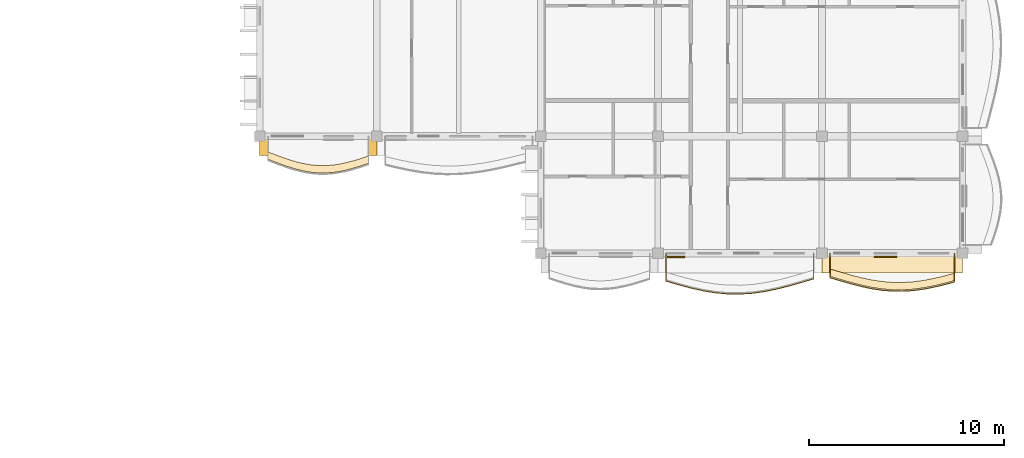
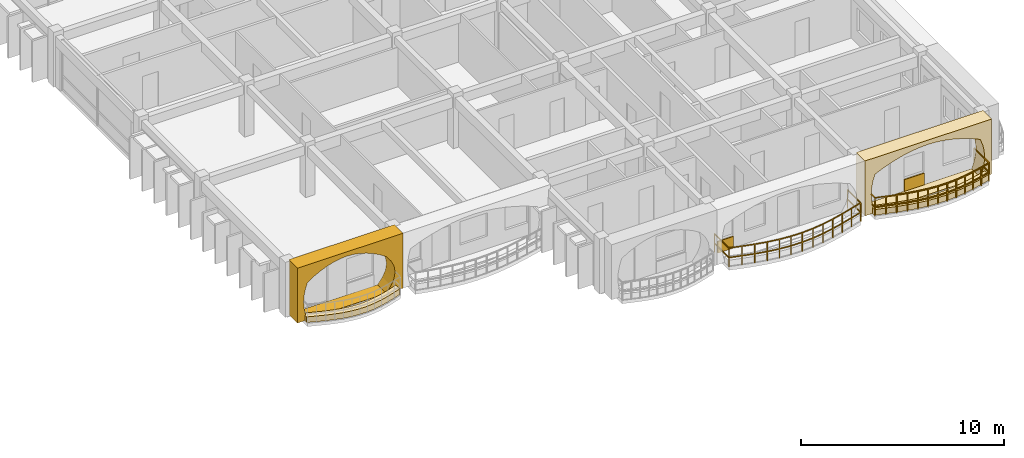
# One storey, part 69 of 79: 6 coverings, 2 railings.
"""IFC4 building model written with IfcOpenShell, lengths in metres."""

import ifcopenshell
import ifcopenshell.guid

model = None  # the IFC model being written
_history = None  # IfcOwnerHistory: only IFC2X3 demands one
_inside = {}  # id of a spatial element -> (the spatial element, [elements in it])
_under = {}  # id of a project, library or spatial element -> (it, [spatial elements below it])
_declared = {}  # id of a project -> (the project, [libraries it declares])
_typed = {}  # id of a type object -> (the type object, [elements of that type])
_made_of = {}  # id of a material, layer set ... -> (it, [elements and type objects made of it])


def new_model(schema):
    """Start an empty IFC model of exactly this schema.

    Asked for "IFC4X3", IfcOpenShell would pick the latest addendum, in which some entities
    have other attributes; the version numbers below select the first issue.
    IFC2X3 requires an IfcOwnerHistory on every rooted entity: one is made here for all.
    """
    global model, _history
    if schema == "IFC4X3":
        model = ifcopenshell.file(schema_version=(4, 3, 0, 0))
    else:
        model = ifcopenshell.file(schema=schema)
    _inside.clear()
    _under.clear()
    _declared.clear()
    _typed.clear()
    _made_of.clear()
    _history = None
    if model.schema == "IFC2X3":
        org = make("IfcOrganization", Name="unknown")
        user = make(
            "IfcPersonAndOrganization",
            ThePerson=make("IfcPerson", FamilyName="unknown"),
            TheOrganization=org,
        )
        app = make(
            "IfcApplication",
            ApplicationDeveloper=org,
            Version="unknown",
            ApplicationFullName="unknown",
            ApplicationIdentifier="unknown",
        )
        _history = make(
            "IfcOwnerHistory",
            OwningUser=user,
            OwningApplication=app,
            ChangeAction="ADDED",
            CreationDate=0,
        )
    return model


def make(cls, **values):
    """One entity of the class cls with the attributes given. An attribute that is None is left unset."""
    return model.create_entity(
        cls, **{name: value for name, value in values.items() if value is not None}
    )


def rooted(cls, **values):
    """An entity with a GlobalId (a new one), such as an element, a storey or a relation."""
    return make(cls, GlobalId=ifcopenshell.guid.new(), OwnerHistory=_history, **values)


def si_unit(unit_type, name, prefix=None):
    """IfcSIUnit, for example si_unit("LENGTHUNIT", "METRE", prefix="MILLI")."""
    return make("IfcSIUnit", UnitType=unit_type, Prefix=prefix, Name=name)


def assignment(units):
    """IfcUnitAssignment: the units of a project."""
    return None if units is None else make("IfcUnitAssignment", Units=units)


def point(xyz):
    """IfcCartesianPoint."""
    return None if xyz is None else make("IfcCartesianPoint", Coordinates=xyz)


def direction(xyz):
    """IfcDirection."""
    return None if xyz is None else make("IfcDirection", DirectionRatios=xyz)


def frame(location, z_axis=None, x_axis=None):
    """IfcAxis2Placement3D, a coordinate frame: its origin and axes. An axis left out is left unset."""
    return make(
        "IfcAxis2Placement3D",
        Location=point(location),
        Axis=direction(z_axis),
        RefDirection=direction(x_axis),
    )


def frame_2d(location, x_axis=None):
    """IfcAxis2Placement2D, a coordinate frame in the plane: its origin and x axis."""
    return make(
        "IfcAxis2Placement2D", Location=point(location), RefDirection=direction(x_axis)
    )


def origin():
    """The frame at (0, 0, 0) with its axes left unset."""
    return frame((0.0, 0.0, 0.0))


def origin_2d():
    """The frame at (0, 0) in the plane with its x axis left unset."""
    return frame_2d((0.0, 0.0))


def place(relative_to, where):
    """IfcLocalPlacement: puts the frame where relative to a parent placement (None: the world)."""
    return make(
        "IfcLocalPlacement", PlacementRelTo=relative_to, RelativePlacement=where
    )


def context(
    kind, dimensions, precision=None, world=None, true_north=None, identifier=None
):
    """IfcGeometricRepresentationContext, for example the 3D "Model" context."""
    return make(
        "IfcGeometricRepresentationContext",
        ContextIdentifier=identifier,
        ContextType=kind,
        CoordinateSpaceDimension=dimensions,
        Precision=precision,
        WorldCoordinateSystem=world,
        TrueNorth=true_north,
    )


def subcontext(parent, identifier, kind, view, scale=None):
    """IfcGeometricRepresentationSubContext, for example "Body" below "Model"."""
    return make(
        "IfcGeometricRepresentationSubContext",
        ContextIdentifier=identifier,
        ContextType=kind,
        ParentContext=parent,
        TargetScale=scale,
        TargetView=view,
    )


def project(units=None, contexts=None):
    """IfcProject with its units and contexts."""
    return rooted(
        "IfcProject",
        Name="project",
        RepresentationContexts=contexts,
        UnitsInContext=assignment(units),
    )


def spatial(cls, under=None, at=None, **own):
    """A site, building, storey or space (cls), placed at a placement, below another one or the project."""
    s = rooted(cls, ObjectPlacement=at, **own)
    if under is not None:
        _under.setdefault(under.id(), (under, []))[1].append(s)
    return s


def polyline(points):
    """IfcPolyline through the points."""
    return make("IfcPolyline", Points=[point(p) for p in points])


def profile(cls, at=None, kind="AREA", **sizes):
    """A parametric profile (cls). Its sizes go by their IFC names, for example OverallWidth=200.0."""
    return make(cls, ProfileType=kind, Position=at, **sizes)


def rectangle(**sizes):
    """IfcRectangleProfileDef."""
    return profile("IfcRectangleProfileDef", **sizes)


def outline(outer, holes=None, kind="AREA"):
    """IfcArbitraryClosedProfileDef: a profile drawn as a closed curve; with holes, ...WithVoids."""
    if holes is None:
        return make("IfcArbitraryClosedProfileDef", ProfileType=kind, OuterCurve=outer)
    return make(
        "IfcArbitraryProfileDefWithVoids",
        ProfileType=kind,
        OuterCurve=outer,
        InnerCurves=holes,
    )


def extrude(swept, where, along, depth):
    """IfcExtrudedAreaSolid: the profile swept, set in the frame where, extruded along a direction by depth."""
    return make(
        "IfcExtrudedAreaSolid",
        SweptArea=swept,
        Position=where,
        ExtrudedDirection=direction(along),
        Depth=depth,
    )


def shape(context_of_items, identifier, shape_type, items):
    """IfcShapeRepresentation: the items that make up one representation, for example the "Body"."""
    return make(
        "IfcShapeRepresentation",
        ContextOfItems=context_of_items,
        RepresentationIdentifier=identifier,
        RepresentationType=shape_type,
        Items=items,
    )


def material(Name=None, Category=None):
    """IfcMaterial."""
    return make("IfcMaterial", Name=Name, Category=Category)


def layer(
    of_material, thickness, ventilated=None, Name=None, Category=None, Priority=None
):
    """IfcMaterialLayer: one layer of a wall or slab, of a material (None: an air gap)."""
    return make(
        "IfcMaterialLayer",
        Material=of_material,
        LayerThickness=thickness,
        IsVentilated=ventilated,
        Name=Name,
        Category=Category,
        Priority=Priority,
    )


def layer_set(layers, Name=None):
    """IfcMaterialLayerSet."""
    return make("IfcMaterialLayerSet", MaterialLayers=layers, LayerSetName=Name)


def made_of(thing, what):
    """Note that an element or type object is made of a material, layer set ...; save() writes the relation."""
    if what is not None:
        _made_of.setdefault(what.id(), (what, []))[1].append(thing)
    return thing


def type_object(cls, material=None, **own):
    """A type object (cls), such as IfcWallType, which elements share."""
    return made_of(rooted(cls, **own), material)


def element(
    cls,
    number,
    at=None,
    inside=None,
    cuts=None,
    type_object=None,
    material=None,
    context=None,
    identifier="Body",
    shape_type=None,
    held_by="IfcProductDefinitionShape",
    body=None,
    shapes=None,
    **own,
):
    """One element of the class cls, such as IfcWall. Its Tag is "e" and its number.

    at: its placement. inside: the storey or other place that contains it. cuts: it is an
    opening in that element (IfcRelVoidsElement). A single representation is given by context,
    identifier, shape_type and body (its items); several are given by shapes. held_by: the class
    of the entity that holds the representations. save() writes the other relations.
    """
    e = rooted(cls, Tag="e%d" % number, ObjectPlacement=at, **own)
    if body is not None:
        shapes = [shape(context, identifier, shape_type, body)]
    if shapes is not None:
        e.Representation = make(held_by, Representations=shapes)
    if inside is not None:
        _inside.setdefault(inside.id(), (inside, []))[1].append(e)
    if cuts is not None:
        rooted(
            "IfcRelVoidsElement", RelatingBuildingElement=cuts, RelatedOpeningElement=e
        )
    if type_object is not None:
        _typed.setdefault(type_object.id(), (type_object, []))[1].append(e)
    return made_of(e, material)


def aggregate(whole, parts):
    """IfcRelAggregates: a whole, such as a stair, and the parts it consists of."""
    return rooted("IfcRelAggregates", RelatingObject=whole, RelatedObjects=parts)


def save(model, path):
    """Write the relations noted so far, then the file.

    IfcRelAggregates (storeys below a building ...), IfcRelContainedInSpatialStructure (elements
    in a storey), IfcRelDefinesByType, IfcRelAssociatesMaterial and IfcRelDeclares: one each for
    every whole, place, type object, material and project.
    """
    for whole, parts in _under.values():
        aggregate(whole, parts)
    for where, things in _inside.values():
        rooted(
            "IfcRelContainedInSpatialStructure",
            RelatedElements=things,
            RelatingStructure=where,
        )
    for kind, things in _typed.values():
        rooted("IfcRelDefinesByType", RelatedObjects=things, RelatingType=kind)
    for what, things in _made_of.values():
        rooted("IfcRelAssociatesMaterial", RelatedObjects=things, RelatingMaterial=what)
    for by, libraries in _declared.values():
        rooted("IfcRelDeclares", RelatingContext=by, RelatedDefinitions=libraries)
    model.write(path)


model = new_model("IFC4")

# Units and contexts
model_context = context("Model", 3, precision=1e-05, world=origin(), true_north=direction((0.0, 1.0)))
body_context = subcontext(model_context, "Body", "Model", "MODEL_VIEW")
ifc_project = project(units=[si_unit("LENGTHUNIT", "METRE"), si_unit("AREAUNIT", "SQUARE_METRE"), si_unit("VOLUMEUNIT", "CUBIC_METRE"), si_unit("PLANEANGLEUNIT", "RADIAN"), si_unit("MASSUNIT", "GRAM", prefix="KILO"), si_unit("THERMODYNAMICTEMPERATUREUNIT", "KELVIN")], contexts=[model_context])

# Site, building, storey
site_placement = place(None, origin())
site = spatial("IfcSite", under=ifc_project, at=site_placement, CompositionType="ELEMENT")
building_placement = place(site_placement, origin())
building = spatial("IfcBuilding", under=site, at=building_placement, Name="Thalorik Housing Commons", CompositionType="ELEMENT")
storey_placement = place(building_placement, frame((0.0, 0.0, 11.39990234375)))
storey = spatial("IfcBuildingStorey", under=building, at=storey_placement, Name="L03", CompositionType="ELEMENT", Elevation=11.39990234375)

# Coverings
ifc_material_1 = material(Name="Precast concrete C40/50", Category="concrete")
ifc_layer_1 = layer(ifc_material_1, 0.85009765625, Name="Precast concrete C40/50", Category="concrete")
ifc_layer_set_1 = layer_set([ifc_layer_1], Name="Precast concrete C40/50")
covering_type_1 = type_object("IfcCoveringType", Name="ARC-CLD-CUSH-850", PredefinedType="CLADDING", material=ifc_layer_set_1)
covering_1_placement = place(storey_placement, frame((141.0, 42.6298828125, 0.0), z_axis=(0.0, 0.0, 1.0), x_axis=(1.0, 0.0, 0.0)))
element("IfcCovering", 1, at=covering_1_placement, inside=storey, type_object=covering_type_1, Name="L03 White Precast Curved Cushion Bay Frame 4723", PredefinedType="CLADDING", context=body_context, shape_type="SweptSolid", body=[
    extrude(outline(polyline([(-3.0, 0.0), (3.0, 0.0), (3.0, 3.300048828125), (-3.0, 3.300048828125), (-3.0, 0.0)]), holes=[polyline([(2.0400390625, 0.02490234375), (2.3232421875, 0.394287109375), (2.493408203125, 0.76318359375), (2.550048828125, 1.132568359375), (2.493408203125, 1.501708984375), (2.3232421875, 1.870849609375), (2.0400390625, 2.239990234375), (1.66748046875, 2.4833984375), (1.294921875, 2.6748046875), (0.922607421875, 2.82958984375), (0.550048828125, 2.94482421875), (0.177490234375, 3.01611328125), (-0.195068359375, 3.0400390625), (-0.5673828125, 3.01611328125), (-0.93994140625, 2.94482421875), (-1.3125, 2.82958984375), (-1.68505859375, 2.6748046875), (-2.0576171875, 2.4833984375), (-2.429931640625, 2.239990234375), (-2.55029296875, 1.870849609375), (-2.62255859375, 1.501708984375), (-2.646484375, 1.132568359375), (-2.62255859375, 0.76318359375), (-2.55029296875, 0.394287109375), (-2.429931640625, 0.02490234375), (2.0400390625, 0.02490234375)])]), frame((0.0, 0.425048828125, 0.0), z_axis=(0.0, -1.0, 0.0), x_axis=(1.0, 0.0, 0.0)), (0.0, 0.0, 1.0), 0.85009765625),
])
covering_2_placement = place(storey_placement, frame((170.39990234375, 36.6298828125, 0.0), z_axis=(0.0, 0.0, 1.0), x_axis=(1.0, 0.0, 0.0)))
element("IfcCovering", 2, at=covering_2_placement, inside=storey, type_object=covering_type_1, Name="L03 White Precast Curved Cushion Bay Frame 4738", PredefinedType="CLADDING", context=body_context, shape_type="SweptSolid", body=[
    extrude(outline(polyline([(-3.60009765625, 0.0), (3.60009765625, 0.0), (3.60009765625, 3.300048828125), (-3.60009765625, 3.300048828125), (-3.60009765625, 0.0)]), holes=[polyline([(2.955078125, 0.02490234375), (3.09130859375, 0.404296875), (3.1728515625, 0.783203125), (3.2001953125, 1.16259765625), (3.1728515625, 1.541748046875), (3.09130859375, 1.9208984375), (2.955078125, 2.300048828125), (2.456298828125, 2.525390625), (1.95751953125, 2.7021484375), (1.458740234375, 2.845458984375), (0.9599609375, 2.951904296875), (0.461181640625, 3.017822265625), (-0.03759765625, 3.0400390625), (-0.536376953125, 3.017822265625), (-1.034912109375, 2.951904296875), (-1.53369140625, 2.845458984375), (-2.032470703125, 2.7021484375), (-2.53125, 2.525390625), (-3.030029296875, 2.300048828125), (-3.150390625, 1.9208984375), (-3.222412109375, 1.541748046875), (-3.24658203125, 1.16259765625), (-3.222412109375, 0.783203125), (-3.150390625, 0.404296875), (-3.030029296875, 0.02490234375), (2.955078125, 0.02490234375)])]), frame((0.0, 0.425048828125, 0.0), z_axis=(0.0, -1.0, 0.0), x_axis=(1.0, 0.0, 0.0)), (0.0, 0.0, 1.0), 0.85009765625),
])
ifc_material_2 = material(Name="Terracotta red mineral fibre-cement panel", Category="masonry")
ifc_layer_2 = layer(ifc_material_2, 0.054931640625, Name="Terracotta red mineral fibre-cement panel", Category="masonry")
ifc_layer_set_2 = layer_set([ifc_layer_2], Name="Terracotta red mineral fibre-cement panel")
covering_type_2 = type_object("IfcCoveringType", Name="ARC-CLD-RED-55", PredefinedType="CLADDING", material=ifc_layer_set_2)
covering_3_placement = place(storey_placement, frame((170.06494140625, 37.0224609375, 0.05029296875), z_axis=(0.0, 0.0, 1.0), x_axis=(1.0, 0.0, 0.0)))
element("IfcCovering", 3, at=covering_3_placement, inside=storey, type_object=covering_type_2, Name="L03 De Stijl Recessed Window Spandrel 4739", PredefinedType="CLADDING", context=body_context, shape_type="SweptSolid", body=[
    extrude(rectangle(XDim=1.14990234375, YDim=0.054931640625, at=origin_2d()), origin(), (0.0, 0.0, 1.0), 0.699951171875),
])
ifc_material_3 = material(Name="Mineral ochre architectural terracotta panel", Category="masonry")
ifc_layer_3 = layer(ifc_material_3, 0.06494140625, Name="Mineral ochre architectural terracotta panel", Category="masonry")
ifc_layer_set_3 = layer_set([ifc_layer_3], Name="Mineral ochre architectural terracotta panel")
covering_type_3 = type_object("IfcCoveringType", Name="ARC-CLD-YEL-65", PredefinedType="CLADDING", material=ifc_layer_set_3)
covering_4_placement = place(storey_placement, frame((159.3349609375, 37.017578125, 0.05029296875), z_axis=(0.0, 0.0, 1.0), x_axis=(1.0, 0.0, 0.0)))
element("IfcCovering", 4, at=covering_4_placement, inside=storey, type_object=covering_type_3, Name="L03 De Stijl Recessed Window Spandrel 4737", PredefinedType="CLADDING", context=body_context, shape_type="SweptSolid", body=[
    extrude(rectangle(XDim=0.89990234375, YDim=0.06494140625, at=origin_2d()), origin(), (0.0, 0.0, 1.0), 0.699951171875),
])
ifc_material_4 = material(Name="Planted vegetated substrate and terracotta trough", Category="masonry")
ifc_layer_4 = layer(ifc_material_4, 0.340087890625, Name="Planted vegetated substrate and terracotta trough", Category="masonry")
ifc_layer_set_4 = layer_set([ifc_layer_4], Name="Planted vegetated substrate and terracotta trough")
covering_type_4 = type_object("IfcCoveringType", Name="ARC-COV-PLANTER", PredefinedType="USERDEFINED", material=ifc_layer_set_4)
covering_5_placement = place(storey_placement, origin())
element("IfcCovering", 5, at=covering_5_placement, inside=storey, type_object=covering_type_4, Name="L03 Balcony Slab-Edge Planted Trough 5662", ObjectType="PLANTER", PredefinedType="USERDEFINED", context=body_context, shape_type="SweptSolid", body=[
    extrude(outline(polyline([(167.219970703125, 36.017333984375), (167.75, 35.861572265625), (168.280029296875, 35.710205078125), (168.81005859375, 35.573486328125), (169.340087890625, 35.460693359375), (169.8701171875, 35.37939453125), (170.39990234375, 35.33447265625), (170.929931640625, 35.3291015625), (171.4599609375, 35.36279296875), (171.989990234375, 35.43310546875), (172.52001953125, 35.53466796875), (173.050048828125, 35.660400390625), (173.580078125, 35.80126953125), (173.580078125, 36.18115234375), (173.050048828125, 36.040283203125), (172.52001953125, 35.91455078125), (171.989990234375, 35.81298828125), (171.4599609375, 35.74267578125), (170.929931640625, 35.708984375), (170.39990234375, 35.714599609375), (169.8701171875, 35.759521484375), (169.340087890625, 35.8408203125), (168.81005859375, 35.95361328125), (168.280029296875, 36.090087890625), (167.75, 36.24169921875), (167.219970703125, 36.3974609375), (167.219970703125, 36.017333984375)])), origin(), (0.0, 0.0, 1.0), 0.340087890625),
])
covering_6_placement = place(storey_placement, origin())
element("IfcCovering", 6, at=covering_6_placement, inside=storey, type_object=covering_type_4, Name="L03 Balcony Slab-Edge Planted Trough 5663", ObjectType="PLANTER", PredefinedType="USERDEFINED", context=body_context, shape_type="SweptSolid", body=[
    extrude(outline(polyline([(138.419921875, 42.01806640625), (138.85009765625, 41.853515625), (139.280029296875, 41.69580078125), (139.7099609375, 41.5556640625), (140.139892578125, 41.44189453125), (140.570068359375, 41.361572265625), (141.0, 41.31982421875), (141.429931640625, 41.318603515625), (141.860107421875, 41.357421875), (142.2900390625, 41.43310546875), (142.719970703125, 41.5390625), (143.14990234375, 41.668212890625), (143.580078125, 41.810546875), (143.580078125, 42.1904296875), (143.14990234375, 42.048095703125), (142.719970703125, 41.919189453125), (142.2900390625, 41.81298828125), (141.860107421875, 41.737548828125), (141.429931640625, 41.69873046875), (141.0, 41.69970703125), (140.570068359375, 41.74169921875), (140.139892578125, 41.82177734375), (139.7099609375, 41.935546875), (139.280029296875, 42.075927734375), (138.85009765625, 42.2333984375), (138.419921875, 42.39794921875), (138.419921875, 42.01806640625)])), origin(), (0.0, 0.0, 1.0), 0.340087890625),
])

# Railings
ifc_material_5 = material(Name="Steel S355", Category="steel")
railing_type_1 = type_object("IfcRailingType", Name="ARC-RL-BAL-112", PredefinedType="BALUSTRADE", material=ifc_material_5)
railing_1_placement = place(storey_placement, frame((167.219970703125, 37.199951171875, 0.0)))
element("IfcRailing", 7, at=railing_1_placement, inside=storey, type_object=railing_type_1, Name="L03 Cushion Balcony Guardrail 346", PredefinedType="BALUSTRADE", context=body_context, shape_type="SweptSolid", body=[
    extrude(rectangle(XDim=0.050048828125, YDim=0.050048828125, at=origin_2d()), frame((0.0, 0.0, 1.09521484375), z_axis=(0.0, -1.0, 0.0), x_axis=(1.0, 0.0, 0.0)), (0.0, 0.0, 1.0), 1.25244140625),
    extrude(rectangle(XDim=0.050048828125, YDim=0.050048828125, at=origin_2d()), frame((0.0, 0.0, 0.53515625), z_axis=(0.0, -1.0, 0.0), x_axis=(1.0, 0.0, 0.0)), (0.0, 0.0, 1.0), 1.25244140625),
    extrude(rectangle(XDim=0.050048828125, YDim=0.050048828125, at=origin_2d()), frame((0.0, -1.25244140625, 1.09521484375), z_axis=(0.959309192757, -0.282357703441, 0.0), x_axis=(0.282357703441, 0.959309192757, 0.0)), (0.0, 0.0, 1.0), 0.552490234375),
    extrude(rectangle(XDim=0.050048828125, YDim=0.050048828125, at=origin_2d()), frame((0.0, -1.25244140625, 0.53515625), z_axis=(0.959309192757, -0.282357703441, 0.0), x_axis=(0.282357703441, 0.959309192757, 0.0)), (0.0, 0.0, 1.0), 0.552490234375),
    extrude(rectangle(XDim=0.050048828125, YDim=0.050048828125, at=origin_2d()), frame((0.530029296875, -1.408447265625, 1.09521484375), z_axis=(0.961557367684, -0.274604130799, 0.0), x_axis=(0.274604130799, 0.961557367684, 0.0)), (0.0, 0.0, 1.0), 0.55126953125),
    extrude(rectangle(XDim=0.050048828125, YDim=0.050048828125, at=origin_2d()), frame((0.530029296875, -1.408447265625, 0.53515625), z_axis=(0.961557367684, -0.274604130799, 0.0), x_axis=(0.274604130799, 0.961557367684, 0.0)), (0.0, 0.0, 1.0), 0.55126953125),
    extrude(rectangle(XDim=0.050048828125, YDim=0.050048828125, at=origin_2d()), frame((1.06005859375, -1.559814453125, 1.09521484375), z_axis=(0.968412959415, -0.249351839849, 0.0), x_axis=(0.249351839849, 0.968412959415, 0.0)), (0.0, 0.0, 1.0), 0.54736328125),
    extrude(rectangle(XDim=0.050048828125, YDim=0.050048828125, at=origin_2d()), frame((1.06005859375, -1.559814453125, 0.53515625), z_axis=(0.968412959415, -0.249351839849, 0.0), x_axis=(0.249351839849, 0.968412959415, 0.0)), (0.0, 0.0, 1.0), 0.54736328125),
    extrude(rectangle(XDim=0.050048828125, YDim=0.050048828125, at=origin_2d()), frame((1.590087890625, -1.6962890625, 1.09521484375), z_axis=(0.978098123553, -0.208144326615, 0.0), x_axis=(0.208144326615, 0.978098123553, 0.0)), (0.0, 0.0, 1.0), 0.5419921875),
    extrude(rectangle(XDim=0.050048828125, YDim=0.050048828125, at=origin_2d()), frame((1.590087890625, -1.6962890625, 0.53515625), z_axis=(0.978098123553, -0.208144326615, 0.0), x_axis=(0.208144326615, 0.978098123553, 0.0)), (0.0, 0.0, 1.0), 0.5419921875),
    extrude(rectangle(XDim=0.050048828125, YDim=0.050048828125, at=origin_2d()), frame((2.1201171875, -1.80908203125, 1.09521484375), z_axis=(0.988371697651, -0.152057184254, 0.0), x_axis=(0.152057184254, 0.988371697651, 0.0)), (0.0, 0.0, 1.0), 0.536376953125),
    extrude(rectangle(XDim=0.050048828125, YDim=0.050048828125, at=origin_2d()), frame((2.1201171875, -1.80908203125, 0.53515625), z_axis=(0.988371697651, -0.152057184254, 0.0), x_axis=(0.152057184254, 0.988371697651, 0.0)), (0.0, 0.0, 1.0), 0.536376953125),
    extrude(rectangle(XDim=0.050048828125, YDim=0.050048828125, at=origin_2d()), frame((2.650146484375, -1.890625, 1.09521484375), z_axis=(0.99642437471, -0.084489440068, 0.0), x_axis=(0.084489440068, 0.99642437471, 0.0)), (0.0, 0.0, 1.0), 0.53173828125),
    extrude(rectangle(XDim=0.050048828125, YDim=0.050048828125, at=origin_2d()), frame((2.650146484375, -1.890625, 0.53515625), z_axis=(0.99642437471, -0.084489440068, 0.0), x_axis=(0.084489440068, 0.99642437471, 0.0)), (0.0, 0.0, 1.0), 0.53173828125),
    extrude(rectangle(XDim=0.050048828125, YDim=0.050048828125, at=origin_2d()), frame((3.179931640625, -1.935546875, 1.09521484375), z_axis=(0.999948659242, -0.01013305873, 0.0), x_axis=(0.01013305873, 0.999948659242, 0.0)), (0.0, 0.0, 1.0), 0.530029296875),
    extrude(rectangle(XDim=0.050048828125, YDim=0.050048828125, at=origin_2d()), frame((3.179931640625, -1.935546875, 0.53515625), z_axis=(0.999948659242, -0.01013305873, 0.0), x_axis=(0.01013305873, 0.999948659242, 0.0)), (0.0, 0.0, 1.0), 0.530029296875),
    extrude(rectangle(XDim=0.050048828125, YDim=0.050048828125, at=origin_2d()), frame((3.7099609375, -1.94091796875, 1.09521484375), z_axis=(0.997985835785, 0.063437146632, 0.0), x_axis=(-0.063437146632, 0.997985835785, 0.0)), (0.0, 0.0, 1.0), 0.531005859375),
    extrude(rectangle(XDim=0.050048828125, YDim=0.050048828125, at=origin_2d()), frame((3.7099609375, -1.94091796875, 0.53515625), z_axis=(0.997985835785, 0.063437146632, 0.0), x_axis=(-0.063437146632, 0.997985835785, 0.0)), (0.0, 0.0, 1.0), 0.531005859375),
    extrude(rectangle(XDim=0.050048828125, YDim=0.050048828125, at=origin_2d()), frame((4.239990234375, -1.9072265625, 1.09521484375), z_axis=(0.991315416543, 0.131505684, 0.0), x_axis=(-0.131505684, 0.991315416543, 0.0)), (0.0, 0.0, 1.0), 0.53466796875),
    extrude(rectangle(XDim=0.050048828125, YDim=0.050048828125, at=origin_2d()), frame((4.239990234375, -1.9072265625, 0.53515625), z_axis=(0.991315416543, 0.131505684, 0.0), x_axis=(-0.131505684, 0.991315416543, 0.0)), (0.0, 0.0, 1.0), 0.53466796875),
    extrude(rectangle(XDim=0.050048828125, YDim=0.050048828125, at=origin_2d()), frame((4.77001953125, -1.8369140625, 1.09521484375), z_axis=(0.982132071255, 0.188192971738, 0.0), x_axis=(-0.188192971738, 0.982132071255, 0.0)), (0.0, 0.0, 1.0), 0.53955078125),
    extrude(rectangle(XDim=0.050048828125, YDim=0.050048828125, at=origin_2d()), frame((4.77001953125, -1.8369140625, 0.53515625), z_axis=(0.982132071255, 0.188192971738, 0.0), x_axis=(-0.188192971738, 0.982132071255, 0.0)), (0.0, 0.0, 1.0), 0.53955078125),
    extrude(rectangle(XDim=0.050048828125, YDim=0.050048828125, at=origin_2d()), frame((5.300048828125, -1.7353515625, 1.09521484375), z_axis=(0.972998231053, 0.23081256978, 0.0), x_axis=(-0.23081256978, 0.972998231053, 0.0)), (0.0, 0.0, 1.0), 0.544677734375),
    extrude(rectangle(XDim=0.050048828125, YDim=0.050048828125, at=origin_2d()), frame((5.300048828125, -1.7353515625, 0.53515625), z_axis=(0.972998231053, 0.23081256978, 0.0), x_axis=(-0.23081256978, 0.972998231053, 0.0)), (0.0, 0.0, 1.0), 0.544677734375),
    extrude(rectangle(XDim=0.050048828125, YDim=0.050048828125, at=origin_2d()), frame((5.830078125, -1.609619140625, 1.09521484375), z_axis=(0.966448874835, 0.256859051488, 0.0), x_axis=(-0.256859051488, 0.966448874835, 0.0)), (0.0, 0.0, 1.0), 0.54833984375),
    extrude(rectangle(XDim=0.050048828125, YDim=0.050048828125, at=origin_2d()), frame((5.830078125, -1.609619140625, 0.53515625), z_axis=(0.966448874835, 0.256859051488, 0.0), x_axis=(-0.256859051488, 0.966448874835, 0.0)), (0.0, 0.0, 1.0), 0.54833984375),
    extrude(rectangle(XDim=0.050048828125, YDim=0.050048828125, at=origin_2d()), frame((6.360107421875, -1.46875, 1.09521484375), z_axis=(0.0, 1.0, 0.0), x_axis=(-1.0, 0.0, 0.0)), (0.0, 0.0, 1.0), 1.46875),
    extrude(rectangle(XDim=0.050048828125, YDim=0.050048828125, at=origin_2d()), frame((6.360107421875, -1.46875, 0.53515625), z_axis=(0.0, 1.0, 0.0), x_axis=(-1.0, 0.0, 0.0)), (0.0, 0.0, 1.0), 1.46875),
    extrude(rectangle(XDim=0.0419921875, YDim=0.0419921875, at=origin_2d()), origin(), (0.0, 0.0, 1.0), 1.070068359375),
    extrude(rectangle(XDim=0.0419921875, YDim=0.0419921875, at=origin_2d()), frame((0.0, -1.25244140625, 0.0)), (0.0, 0.0, 1.0), 1.070068359375),
    extrude(rectangle(XDim=0.0419921875, YDim=0.0419921875, at=origin_2d()), frame((0.530029296875, -1.408447265625, 0.0)), (0.0, 0.0, 1.0), 1.070068359375),
    extrude(rectangle(XDim=0.0419921875, YDim=0.0419921875, at=origin_2d()), frame((1.06005859375, -1.559814453125, 0.0)), (0.0, 0.0, 1.0), 1.070068359375),
    extrude(rectangle(XDim=0.0419921875, YDim=0.0419921875, at=origin_2d()), frame((1.590087890625, -1.6962890625, 0.0)), (0.0, 0.0, 1.0), 1.070068359375),
    extrude(rectangle(XDim=0.0419921875, YDim=0.0419921875, at=origin_2d()), frame((2.1201171875, -1.80908203125, 0.0)), (0.0, 0.0, 1.0), 1.070068359375),
    extrude(rectangle(XDim=0.0419921875, YDim=0.0419921875, at=origin_2d()), frame((2.650146484375, -1.890625, 0.0)), (0.0, 0.0, 1.0), 1.070068359375),
    extrude(rectangle(XDim=0.0419921875, YDim=0.0419921875, at=origin_2d()), frame((3.179931640625, -1.935546875, 0.0)), (0.0, 0.0, 1.0), 1.070068359375),
    extrude(rectangle(XDim=0.0419921875, YDim=0.0419921875, at=origin_2d()), frame((3.7099609375, -1.94091796875, 0.0)), (0.0, 0.0, 1.0), 1.070068359375),
    extrude(rectangle(XDim=0.0419921875, YDim=0.0419921875, at=origin_2d()), frame((4.239990234375, -1.9072265625, 0.0)), (0.0, 0.0, 1.0), 1.070068359375),
    extrude(rectangle(XDim=0.0419921875, YDim=0.0419921875, at=origin_2d()), frame((4.77001953125, -1.8369140625, 0.0)), (0.0, 0.0, 1.0), 1.070068359375),
    extrude(rectangle(XDim=0.0419921875, YDim=0.0419921875, at=origin_2d()), frame((5.300048828125, -1.7353515625, 0.0)), (0.0, 0.0, 1.0), 1.070068359375),
    extrude(rectangle(XDim=0.0419921875, YDim=0.0419921875, at=origin_2d()), frame((5.830078125, -1.609619140625, 0.0)), (0.0, 0.0, 1.0), 1.070068359375),
    extrude(rectangle(XDim=0.0419921875, YDim=0.0419921875, at=origin_2d()), frame((6.360107421875, -1.46875, 0.0)), (0.0, 0.0, 1.0), 1.070068359375),
    extrude(rectangle(XDim=0.0419921875, YDim=0.0419921875, at=origin_2d()), frame((6.360107421875, 0.0, 0.0)), (0.0, 0.0, 1.0), 1.070068359375),
])
railing_type_2 = type_object("IfcRailingType", Name="ARC-RL-BAL-115", PredefinedType="BALUSTRADE", material=ifc_material_5)
railing_2_placement = place(storey_placement, frame((158.820068359375, 37.199951171875, 0.0)))
element("IfcRailing", 8, at=railing_2_placement, inside=storey, type_object=railing_type_2, Name="L03 Cushion Balcony Guardrail 345", PredefinedType="BALUSTRADE", context=body_context, shape_type="SweptSolid", body=[
    extrude(rectangle(XDim=0.050048828125, YDim=0.050048828125, at=origin_2d()), frame((0.0, 0.0, 1.125), z_axis=(0.0, -1.0, 0.0), x_axis=(1.0, 0.0, 0.0)), (0.0, 0.0, 1.0), 1.420166015625),
    extrude(rectangle(XDim=0.050048828125, YDim=0.050048828125, at=origin_2d()), frame((0.0, 0.0, 0.5498046875), z_axis=(0.0, -1.0, 0.0), x_axis=(1.0, 0.0, 0.0)), (0.0, 0.0, 1.0), 1.420166015625),
    extrude(rectangle(XDim=0.050048828125, YDim=0.050048828125, at=origin_2d()), frame((0.0, -1.420166015625, 1.125), z_axis=(0.959146180729, -0.282910947107, 0.0), x_axis=(0.282910947107, 0.959146180729, 0.0)), (0.0, 0.0, 1.0), 0.65673828125),
    extrude(rectangle(XDim=0.050048828125, YDim=0.050048828125, at=origin_2d()), frame((0.0, -1.420166015625, 0.5498046875), z_axis=(0.959146180729, -0.282910947107, 0.0), x_axis=(0.282910947107, 0.959146180729, 0.0)), (0.0, 0.0, 1.0), 0.65673828125),
    extrude(rectangle(XDim=0.050048828125, YDim=0.050048828125, at=origin_2d()), frame((0.6298828125, -1.60595703125, 1.125), z_axis=(0.965979780543, -0.258617601068, 0.0), x_axis=(0.258617601068, 0.965979780543, 0.0)), (0.0, 0.0, 1.0), 0.65234375),
    extrude(rectangle(XDim=0.050048828125, YDim=0.050048828125, at=origin_2d()), frame((0.6298828125, -1.60595703125, 0.5498046875), z_axis=(0.965979780543, -0.258617601068, 0.0), x_axis=(0.258617601068, 0.965979780543, 0.0)), (0.0, 0.0, 1.0), 0.65234375),
    extrude(rectangle(XDim=0.050048828125, YDim=0.050048828125, at=origin_2d()), frame((1.260009765625, -1.774658203125, 1.125), z_axis=(0.975972967623, -0.217891639283, 0.0), x_axis=(0.217891639283, 0.975972967623, 0.0)), (0.0, 0.0, 1.0), 0.6455078125),
    extrude(rectangle(XDim=0.050048828125, YDim=0.050048828125, at=origin_2d()), frame((1.260009765625, -1.774658203125, 0.5498046875), z_axis=(0.975972967623, -0.217891639283, 0.0), x_axis=(0.217891639283, 0.975972967623, 0.0)), (0.0, 0.0, 1.0), 0.6455078125),
    extrude(rectangle(XDim=0.050048828125, YDim=0.050048828125, at=origin_2d()), frame((1.889892578125, -1.915283203125, 1.125), z_axis=(0.98695644982, -0.160987472055, 0.0), x_axis=(0.160987472055, 0.98695644982, 0.0)), (0.0, 0.0, 1.0), 0.638427734375),
    extrude(rectangle(XDim=0.050048828125, YDim=0.050048828125, at=origin_2d()), frame((1.889892578125, -1.915283203125, 0.5498046875), z_axis=(0.98695644982, -0.160987472055, 0.0), x_axis=(0.160987472055, 0.98695644982, 0.0)), (0.0, 0.0, 1.0), 0.638427734375),
    extrude(rectangle(XDim=0.050048828125, YDim=0.050048828125, at=origin_2d()), frame((2.52001953125, -2.01806640625, 1.125), z_axis=(0.995877371634, -0.090709760595, 0.0), x_axis=(0.090709760595, 0.995877371634, 0.0)), (0.0, 0.0, 1.0), 0.632568359375),
    extrude(rectangle(XDim=0.050048828125, YDim=0.050048828125, at=origin_2d()), frame((2.52001953125, -2.01806640625, 0.5498046875), z_axis=(0.995877371634, -0.090709760595, 0.0), x_axis=(0.090709760595, 0.995877371634, 0.0)), (0.0, 0.0, 1.0), 0.632568359375),
    extrude(rectangle(XDim=0.050048828125, YDim=0.050048828125, at=origin_2d()), frame((3.14990234375, -2.075439453125, 1.125), z_axis=(0.999908067263, -0.013559388746, 0.0), x_axis=(0.013559388746, 0.999908067263, 0.0)), (0.0, 0.0, 1.0), 0.630126953125),
    extrude(rectangle(XDim=0.050048828125, YDim=0.050048828125, at=origin_2d()), frame((3.14990234375, -2.075439453125, 0.5498046875), z_axis=(0.999908067263, -0.013559388746, 0.0), x_axis=(0.013559388746, 0.999908067263, 0.0)), (0.0, 0.0, 1.0), 0.630126953125),
    extrude(rectangle(XDim=0.050048828125, YDim=0.050048828125, at=origin_2d()), frame((3.780029296875, -2.083984375, 1.125), z_axis=(0.997911658868, 0.064593506601, 0.0), x_axis=(-0.064593506601, 0.997911658868, 0.0)), (0.0, 0.0, 1.0), 0.631103515625),
    extrude(rectangle(XDim=0.050048828125, YDim=0.050048828125, at=origin_2d()), frame((3.780029296875, -2.083984375, 0.5498046875), z_axis=(0.997911658868, 0.064593506601, 0.0), x_axis=(-0.064593506601, 0.997911658868, 0.0)), (0.0, 0.0, 1.0), 0.631103515625),
    extrude(rectangle(XDim=0.050048828125, YDim=0.050048828125, at=origin_2d()), frame((4.409912109375, -2.043212890625, 1.125), z_axis=(0.990516951139, 0.137390572843, 0.0), x_axis=(-0.137390572843, 0.990516951139, 0.0)), (0.0, 0.0, 1.0), 0.63623046875),
    extrude(rectangle(XDim=0.050048828125, YDim=0.050048828125, at=origin_2d()), frame((4.409912109375, -2.043212890625, 0.5498046875), z_axis=(0.990516951139, 0.137390572843, 0.0), x_axis=(-0.137390572843, 0.990516951139, 0.0)), (0.0, 0.0, 1.0), 0.63623046875),
    extrude(rectangle(XDim=0.050048828125, YDim=0.050048828125, at=origin_2d()), frame((5.0400390625, -1.955810546875, 1.125), z_axis=(0.979991950448, 0.19903712482, 0.0), x_axis=(-0.19903712482, 0.979991950448, 0.0)), (0.0, 0.0, 1.0), 0.642822265625),
    extrude(rectangle(XDim=0.050048828125, YDim=0.050048828125, at=origin_2d()), frame((5.0400390625, -1.955810546875, 0.5498046875), z_axis=(0.979991950448, 0.19903712482, 0.0), x_axis=(-0.19903712482, 0.979991950448, 0.0)), (0.0, 0.0, 1.0), 0.642822265625),
    extrude(rectangle(XDim=0.050048828125, YDim=0.050048828125, at=origin_2d()), frame((5.669921875, -1.827880859375, 1.125), z_axis=(0.969542950291, 0.244921349705, 0.0), x_axis=(-0.244921349705, 0.969542950291, 0.0)), (0.0, 0.0, 1.0), 0.64990234375),
    extrude(rectangle(XDim=0.050048828125, YDim=0.050048828125, at=origin_2d()), frame((5.669921875, -1.827880859375, 0.5498046875), z_axis=(0.969542950291, 0.244921349705, 0.0), x_axis=(-0.244921349705, 0.969542950291, 0.0)), (0.0, 0.0, 1.0), 0.64990234375),
    extrude(rectangle(XDim=0.050048828125, YDim=0.050048828125, at=origin_2d()), frame((6.300048828125, -1.668701171875, 1.125), z_axis=(0.961636388432, 0.274327279801, 0.0), x_axis=(-0.274327279801, 0.961636388432, 0.0)), (0.0, 0.0, 1.0), 0.655029296875),
    extrude(rectangle(XDim=0.050048828125, YDim=0.050048828125, at=origin_2d()), frame((6.300048828125, -1.668701171875, 0.5498046875), z_axis=(0.961636388432, 0.274327279801, 0.0), x_axis=(-0.274327279801, 0.961636388432, 0.0)), (0.0, 0.0, 1.0), 0.655029296875),
    extrude(rectangle(XDim=0.050048828125, YDim=0.050048828125, at=origin_2d()), frame((6.929931640625, -1.489013671875, 1.125), z_axis=(0.958437567863, 0.285302345782, 0.0), x_axis=(-0.285302345782, 0.958437567863, 0.0)), (0.0, 0.0, 1.0), 0.6572265625),
    extrude(rectangle(XDim=0.050048828125, YDim=0.050048828125, at=origin_2d()), frame((6.929931640625, -1.489013671875, 0.5498046875), z_axis=(0.958437567863, 0.285302345782, 0.0), x_axis=(-0.285302345782, 0.958437567863, 0.0)), (0.0, 0.0, 1.0), 0.6572265625),
    extrude(rectangle(XDim=0.050048828125, YDim=0.050048828125, at=origin_2d()), frame((7.559814453125, -1.301513671875, 1.125), z_axis=(0.0, 1.0, 0.0), x_axis=(-1.0, 0.0, 0.0)), (0.0, 0.0, 1.0), 1.301513671875),
    extrude(rectangle(XDim=0.050048828125, YDim=0.050048828125, at=origin_2d()), frame((7.559814453125, -1.301513671875, 0.5498046875), z_axis=(0.0, 1.0, 0.0), x_axis=(-1.0, 0.0, 0.0)), (0.0, 0.0, 1.0), 1.301513671875),
    extrude(rectangle(XDim=0.0419921875, YDim=0.0419921875, at=origin_2d()), origin(), (0.0, 0.0, 1.0), 1.099853515625),
    extrude(rectangle(XDim=0.0419921875, YDim=0.0419921875, at=origin_2d()), frame((0.0, -1.420166015625, 0.0)), (0.0, 0.0, 1.0), 1.099853515625),
    extrude(rectangle(XDim=0.0419921875, YDim=0.0419921875, at=origin_2d()), frame((0.6298828125, -1.60595703125, 0.0)), (0.0, 0.0, 1.0), 1.099853515625),
    extrude(rectangle(XDim=0.0419921875, YDim=0.0419921875, at=origin_2d()), frame((1.260009765625, -1.774658203125, 0.0)), (0.0, 0.0, 1.0), 1.099853515625),
    extrude(rectangle(XDim=0.0419921875, YDim=0.0419921875, at=origin_2d()), frame((1.889892578125, -1.915283203125, 0.0)), (0.0, 0.0, 1.0), 1.099853515625),
    extrude(rectangle(XDim=0.0419921875, YDim=0.0419921875, at=origin_2d()), frame((2.52001953125, -2.01806640625, 0.0)), (0.0, 0.0, 1.0), 1.099853515625),
    extrude(rectangle(XDim=0.0419921875, YDim=0.0419921875, at=origin_2d()), frame((3.14990234375, -2.075439453125, 0.0)), (0.0, 0.0, 1.0), 1.099853515625),
    extrude(rectangle(XDim=0.0419921875, YDim=0.0419921875, at=origin_2d()), frame((3.780029296875, -2.083984375, 0.0)), (0.0, 0.0, 1.0), 1.099853515625),
    extrude(rectangle(XDim=0.0419921875, YDim=0.0419921875, at=origin_2d()), frame((4.409912109375, -2.043212890625, 0.0)), (0.0, 0.0, 1.0), 1.099853515625),
    extrude(rectangle(XDim=0.0419921875, YDim=0.0419921875, at=origin_2d()), frame((5.0400390625, -1.955810546875, 0.0)), (0.0, 0.0, 1.0), 1.099853515625),
    extrude(rectangle(XDim=0.0419921875, YDim=0.0419921875, at=origin_2d()), frame((5.669921875, -1.827880859375, 0.0)), (0.0, 0.0, 1.0), 1.099853515625),
    extrude(rectangle(XDim=0.0419921875, YDim=0.0419921875, at=origin_2d()), frame((6.300048828125, -1.668701171875, 0.0)), (0.0, 0.0, 1.0), 1.099853515625),
    extrude(rectangle(XDim=0.0419921875, YDim=0.0419921875, at=origin_2d()), frame((6.929931640625, -1.489013671875, 0.0)), (0.0, 0.0, 1.0), 1.099853515625),
    extrude(rectangle(XDim=0.0419921875, YDim=0.0419921875, at=origin_2d()), frame((7.559814453125, -1.301513671875, 0.0)), (0.0, 0.0, 1.0), 1.099853515625),
    extrude(rectangle(XDim=0.0419921875, YDim=0.0419921875, at=origin_2d()), frame((7.559814453125, 0.0, 0.0)), (0.0, 0.0, 1.0), 1.099853515625),
])

save(model, "model.ifc")
